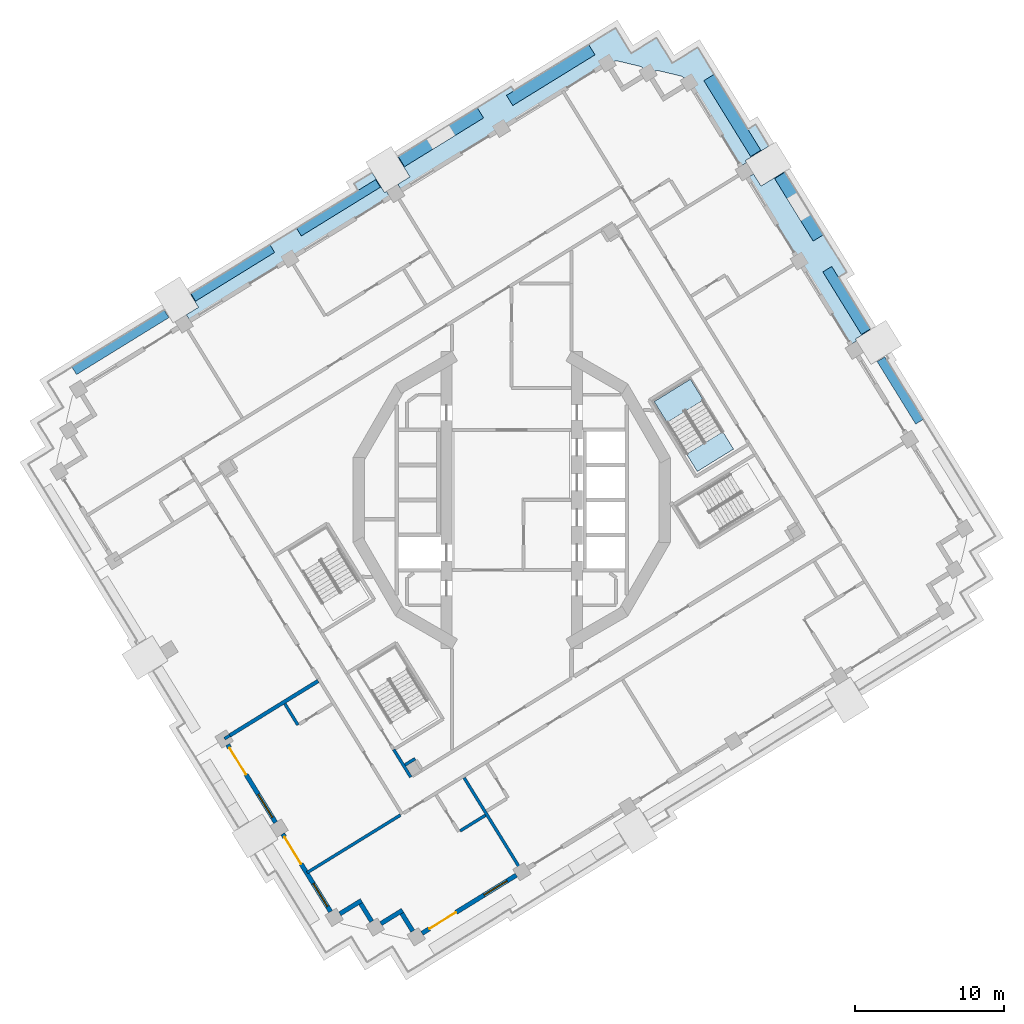
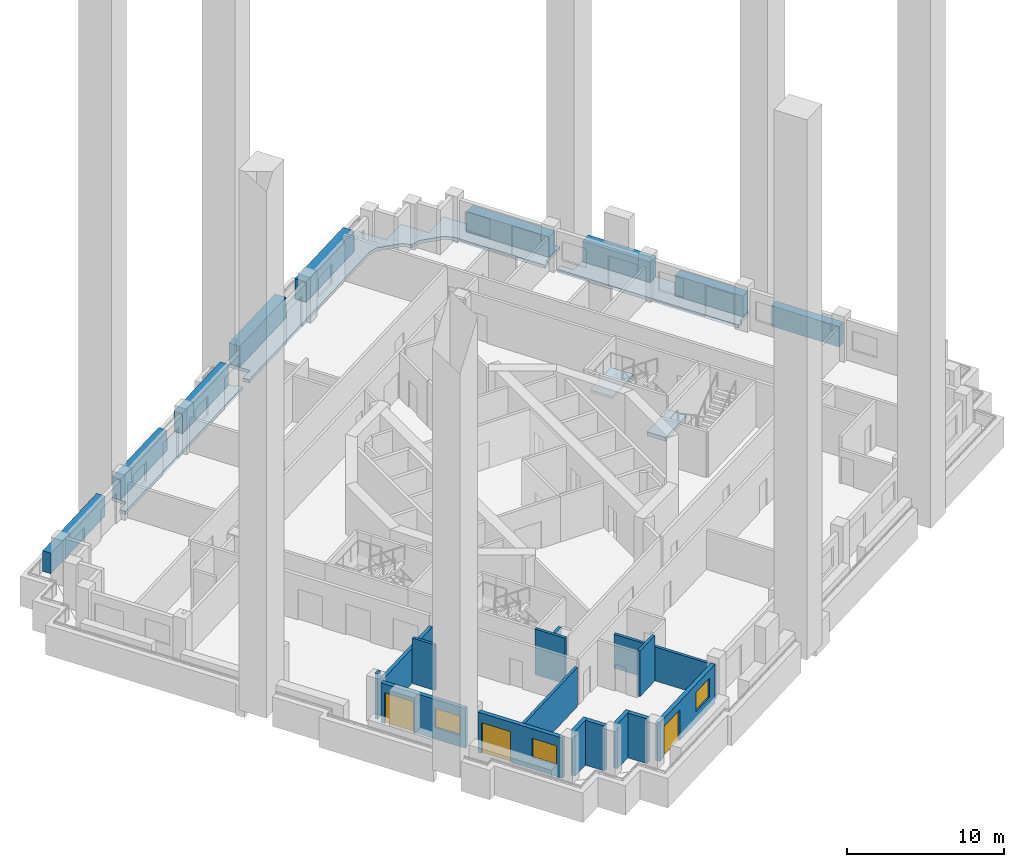
# One storey, part 2 of 19: 15 walls, 9 plates, 5 slabs, 3 doors, 3 windows, 6 openings, 1 element without a shape of its own.
"""IFC4 building model written with IfcOpenShell, lengths in metres."""

from ifc_helpers import new_model, si_unit, direction, frame, frame_2d, origin, origin_2d, place, context, subcontext, project, spatial, polyline, rectangle, outline, extrude, material, layer, layer_set, type_object, element, fill, aggregate, save


model = new_model("IFC4")

# Units and contexts
model_context = context("Model", 3, precision=1e-05, world=origin(), true_north=direction((0.0, 1.0)))
body_context = subcontext(model_context, "Body", "Model", "MODEL_VIEW")
ifc_project = project(units=[si_unit("LENGTHUNIT", "METRE"), si_unit("AREAUNIT", "SQUARE_METRE"), si_unit("VOLUMEUNIT", "CUBIC_METRE"), si_unit("PLANEANGLEUNIT", "RADIAN"), si_unit("MASSUNIT", "GRAM", prefix="KILO")], contexts=[model_context])

# Site, building, storey
site_placement = place(None, origin())
site = spatial("IfcSite", under=ifc_project, at=site_placement, CompositionType="ELEMENT")
building_placement = place(site_placement, origin())
building = spatial("IfcBuilding", under=site, at=building_placement, Name="Cantera Rosa Tower", CompositionType="ELEMENT")
storey_placement = place(building_placement, frame((0.0, 0.0, 147.60009765625)))
storey = spatial("IfcBuildingStorey", under=building, at=storey_placement, Name="L31", CompositionType="ELEMENT", Elevation=147.60009765625)

# Slabs
ifc_material_1 = material(Name="Concrete C35/45", Category="concrete")
ifc_layer_1 = layer(ifc_material_1, 0.25)
ifc_layer_set_1 = layer_set([ifc_layer_1], Name="LOGGIA SLAB 250 C35/45")
slab_type_1 = type_object("IfcSlabType", Name="LOGGIA SLAB 250 C35/45", PredefinedType="FLOOR", material=ifc_layer_set_1)
slab_1_placement = place(storey_placement, frame((0.0, 0.0, -0.25)))
element("IfcSlab", 1, at=slab_1_placement, inside=storey, type_object=slab_type_1, Name="LOGGIA SLAB L31 3", PredefinedType="FLOOR", context=body_context, shape_type="SweptSolid", body=[
    extrude(outline(polyline([(-9.343994140625, 21.929931640625), (-8.51953125, 20.593505859375), (-8.391845703125, 20.672119140625), (-8.155517578125, 20.289306640625), (-21.55224609375, 12.026123046875), (-21.788330078125, 12.4091796875), (-20.97998046875, 12.90771484375), (-21.531005859375, 13.801513671875), (-21.446044921875, 13.85400390625), (-16.91796875, 16.64697265625), (-14.36474609375, 18.2216796875), (-10.279541015625, 20.741455078125), (-10.552734375, 21.184326171875), (-9.343994140625, 21.929931640625)])), origin(), (0.0, 0.0, 1.0), 0.25),
])
slab_2_placement = place(storey_placement, frame((0.0, 0.0, -0.25)))
element("IfcSlab", 2, at=slab_2_placement, inside=storey, type_object=slab_type_1, Name="LOGGIA SLAB L31 5", PredefinedType="FLOOR", context=body_context, shape_type="SweptSolid", body=[
    extrude(outline(polyline([(7.994384765625, 29.898193359375), (8.249755859375, 30.0556640625), (9.696533203125, 30.9482421875), (10.589111328125, 29.501220703125), (10.74658203125, 29.245849609375), (11.001953125, 29.4033203125), (12.44873046875, 30.2958984375), (13.34130859375, 28.84912109375), (15.823486328125, 24.82470703125), (16.3271484375, 25.135498046875), (17.21533203125, 23.695556640625), (15.647705078125, 22.728515625), (15.7265625, 22.600830078125), (15.343505859375, 22.36474609375), (11.894287109375, 27.95654296875), (11.4736328125, 28.328125), (11.45068359375, 28.346435546875), (11.426025390625, 28.362548828125), (11.39990234375, 28.376220703125), (11.37255859375, 28.386962890625), (11.34423828125, 28.395263671875), (9.83056640625, 28.75390625), (9.801513671875, 28.75927734375), (9.772216796875, 28.76171875), (9.742919921875, 28.761474609375), (9.713623046875, 28.75830078125), (9.684814453125, 28.752197265625), (9.14208984375, 28.60888671875), (8.721435546875, 28.98046875), (8.698486328125, 28.998779296875), (8.673828125, 29.014892578125), (8.647705078125, 29.0283203125), (8.620361328125, 29.039306640625), (8.592041015625, 29.047607421875), (7.078369140625, 29.40625), (7.049560546875, 29.41162109375), (7.02001953125, 29.4140625), (6.99072265625, 29.413818359375), (6.96142578125, 29.410400390625), (6.9326171875, 29.404296875), (6.389892578125, 29.260986328125), (-7.3896484375, 20.76171875), (-7.625732421875, 21.144775390625), (-6.8173828125, 21.643310546875), (-7.6416015625, 22.97998046875), (-0.032470703125, 27.67333984375), (0.1357421875, 27.40087890625), (5.49755859375, 30.7080078125), (6.9443359375, 31.600341796875), (7.8369140625, 30.153564453125), (7.994384765625, 29.898193359375)])), origin(), (0.0, 0.0, 1.0), 0.25),
])
slab_3_placement = place(storey_placement, frame((0.0, 0.0, -0.25)))
element("IfcSlab", 3, at=slab_3_placement, inside=storey, type_object=slab_type_1, Name="LOGGIA SLAB L31 7", PredefinedType="FLOOR", context=body_context, shape_type="SweptSolid", body=[
    extrude(outline(polyline([(22.714111328125, 10.4150390625), (15.81591796875, 21.5986328125), (16.198974609375, 21.8349609375), (16.69775390625, 21.0263671875), (18.265380859375, 21.993408203125), (22.4189453125, 15.25927734375), (21.87841796875, 14.92578125), (24.04541015625, 11.41259765625), (23.018310546875, 10.77880859375), (23.09716796875, 10.651123046875), (22.714111328125, 10.4150390625)])), origin(), (0.0, 0.0, 1.0), 0.25),
])

# Plates
ifc_material_2 = material(Name="Cantera stone planter with soil", Category="masonry")
plate_type_1 = type_object("IfcPlateType", Name="PLANTER 600", PredefinedType="USERDEFINED", material=ifc_material_2)
plate_1_placement = place(storey_placement, frame((26.0244140625, 7.333984375, -0.000244140625), z_axis=(0.0, 0.0, 1.0), x_axis=(-0.52497658034, 0.851116672434, 0.0)))
element("IfcPlate", 4, at=plate_1_placement, inside=storey, type_object=plate_type_1, Name="PLANTER L31-02", ObjectType="PLANTER", PredefinedType="USERDEFINED", context=body_context, shape_type="SweptSolid", body=[
    extrude(rectangle(XDim=4.919921875, YDim=0.60009765625, at=origin_2d()), origin(), (0.0, 0.0, 1.0), 1.60009765625),
])
for number, where, z_axis, x_axis, name in (
    (5, (-11.602783203125, 19.572998046875, -0.000244140625), (0.0, 0.0, 1.0), (-0.851116672434, -0.52497658034, 0.0), "PLANTER L31-08"),
    (6, (-18.68408203125, 15.205078125, -0.000244140625), (0.0, 0.0, 1.0), (-0.851116672434, -0.52497658034, 0.0), "PLANTER L31-09"),
):
    element("IfcPlate", number, at=place(storey_placement, frame(where, z_axis=z_axis, x_axis=x_axis)), inside=storey, type_object=plate_type_1, Name=name, ObjectType="PLANTER", PredefinedType="USERDEFINED", context=body_context, shape_type="SweptSolid", body=[
        extrude(rectangle(XDim=6.219970703125, YDim=0.60009765625, at=origin_2d()), origin(), (0.0, 0.0, 1.0), 1.60009765625),
    ])
plate_2_placement = place(storey_placement, frame((-26.212158203125, 10.561767578125, -0.000244140625), z_axis=(0.0, 0.0, 1.0), x_axis=(-0.851116672434, -0.52497658034, 0.0)))
element("IfcPlate", 7, at=plate_2_placement, inside=storey, type_object=plate_type_1, Name="PLANTER L31-10", ObjectType="PLANTER", PredefinedType="USERDEFINED", context=body_context, shape_type="SweptSolid", body=[
    extrude(rectangle(XDim=7.27001953125, YDim=0.60009765625, at=origin_2d()), origin(), (0.0, 0.0, 1.0), 1.60009765625),
])
ifc_material_3 = material(Name="Cantera stone planter with soil", Category="masonry")
plate_type_2 = type_object("IfcPlateType", Name="PLANTER 700", PredefinedType="USERDEFINED", material=ifc_material_3)
plate_3_placement = place(storey_placement, frame((22.429931640625, 13.364990234375, -0.000244140625), z_axis=(0.0, 0.0, 1.0), x_axis=(-0.52497658034, 0.851116672434, 0.0)))
element("IfcPlate", 8, at=plate_3_placement, inside=storey, type_object=plate_type_2, Name="PLANTER L31-03", ObjectType="PLANTER", PredefinedType="USERDEFINED", context=body_context, shape_type="SweptSolid", body=[
    extrude(rectangle(XDim=4.919921875, YDim=0.699951171875, at=origin_2d()), origin(), (0.0, 0.0, 1.0), 1.60009765625),
])
ifc_material_4 = material(Name="Cantera stone planter with soil", Category="masonry")
plate_type_3 = type_object("IfcPlateType", Name="PLANTER 800", PredefinedType="USERDEFINED", material=ifc_material_4)
plate_4_placement = place(storey_placement, frame((19.24267578125, 19.64697265625, -0.000244140625), z_axis=(0.0, 0.0, 1.0), x_axis=(-0.52497658034, 0.851116672434, 0.0)))
element("IfcPlate", 9, at=plate_4_placement, inside=storey, type_object=plate_type_3, Name="PLANTER L31-04", ObjectType="PLANTER", PredefinedType="USERDEFINED", context=body_context, shape_type="SweptSolid", body=[
    extrude(rectangle(XDim=4.919921875, YDim=0.800048828125, at=origin_2d()), origin(), (0.0, 0.0, 1.0), 1.60009765625),
])
plate_5_placement = place(storey_placement, frame((14.77783203125, 25.758056640625, -0.000244140625), z_axis=(0.0, 0.0, 1.0), x_axis=(-0.52497658034, 0.851116672434, 0.0)))
element("IfcPlate", 10, at=plate_5_placement, inside=storey, type_object=plate_type_3, Name="PLANTER L31-05", ObjectType="PLANTER", PredefinedType="USERDEFINED", context=body_context, shape_type="SweptSolid", body=[
    extrude(rectangle(XDim=5.969970703125, YDim=0.800048828125, at=origin_2d()), origin(), (0.0, 0.0, 1.0), 1.60009765625),
])
plate_6_placement = place(storey_placement, frame((2.61376953125, 28.459228515625, -0.000244140625), z_axis=(0.0, 0.0, 1.0), x_axis=(-0.851116672434, -0.52497658034, 0.0)))
element("IfcPlate", 11, at=plate_6_placement, inside=storey, type_object=plate_type_3, Name="PLANTER L31-06", ObjectType="PLANTER", PredefinedType="USERDEFINED", context=body_context, shape_type="SweptSolid", body=[
    extrude(rectangle(XDim=6.469970703125, YDim=0.800048828125, at=origin_2d()), origin(), (0.0, 0.0, 1.0), 1.60009765625),
])
plate_7_placement = place(storey_placement, frame((-4.7421875, 24.29833984375, -0.000244140625), z_axis=(0.0, 0.0, 1.0), x_axis=(-0.851116672434, -0.52497658034, 0.0)))
element("IfcPlate", 12, at=plate_7_placement, inside=storey, type_object=plate_type_3, Name="PLANTER L31-07", ObjectType="PLANTER", PredefinedType="USERDEFINED", context=body_context, shape_type="SweptSolid", body=[
    extrude(rectangle(XDim=6.219970703125, YDim=0.800048828125, at=origin_2d()), origin(), (0.0, 0.0, 1.0), 1.60009765625),
])

# Slab
ifc_material_5 = material(Name="Concrete C50/60", Category="concrete")
ifc_layer_2 = layer(ifc_material_5, 0.300048828125)
ifc_layer_set_2 = layer_set([ifc_layer_2], Name="RC STAIR ARRIVAL LANDING 300 C50/60")
slab_type_2 = type_object("IfcSlabType", Name="RC STAIR ARRIVAL LANDING 300 C50/60", PredefinedType="FLOOR", material=ifc_layer_set_2)
slab_4_placement = place(storey_placement, frame((0.0, 0.0, -0.300048828125)))
element("IfcSlab", 13, at=slab_4_placement, inside=storey, type_object=slab_type_2, Name="SLAB L31 arrival 3", PredefinedType="FLOOR", context=body_context, shape_type="SweptSolid", body=[
    extrude(outline(polyline([(14.1416015625, 4.566650390625), (14.8564453125, 3.407470703125), (12.430908203125, 1.911376953125), (11.7158203125, 3.070556640625), (14.1416015625, 4.566650390625)])), origin(), (0.0, 0.0, 1.0), 0.300048828125),
])

# Stair, slab
ifc_material_6 = material(Name="Concrete C35/45", Category="concrete")
stair_type = type_object("IfcStairType", Name="EXIT STAIR 1350 DOGLEG", PredefinedType="HALF_TURN_STAIR", material=ifc_material_6)
stair_placement = place(storey_placement, origin())
stair = element("IfcStair", 14, at=stair_placement, inside=storey, type_object=stair_type, Name="L31 ST-31", PredefinedType="HALF_TURN_STAIR")
ifc_material_7 = material(Name="Concrete C35/45", Category="concrete")
ifc_layer_3 = layer(ifc_material_7, 0.199951171875)
ifc_layer_set_3 = layer_set([ifc_layer_3], Name="STAIR LANDING 200")
slab_type_3 = type_object("IfcSlabType", Name="STAIR LANDING 200", PredefinedType="LANDING", material=ifc_layer_set_3)
slab_5_placement = place(storey_placement, frame((0.0, 0.0, 1.699951171875)))
slab_5 = element("IfcSlab", 15, at=slab_5_placement, type_object=slab_type_3, Name="ST-31 landing 1", PredefinedType="LANDING", context=body_context, shape_type="SweptSolid", body=[
    extrude(outline(polyline([(12.8310546875, 6.691162109375), (11.96923828125, 8.088623046875), (9.54345703125, 6.592529296875), (10.405517578125, 5.19482421875), (12.8310546875, 6.691162109375)])), origin(), (0.0, 0.0, 1.0), 0.199951171875),
])
aggregate(stair, [slab_5])

# Walls
ifc_material_8 = material(Name="Gypsum board partition")
ifc_layer_4 = layer(ifc_material_8, 0.199951171875)
ifc_layer_set_4 = layer_set([ifc_layer_4], Name="CORRIDOR WALL 200 H3550")
wall_type_1 = type_object("IfcWallType", Name="CORRIDOR WALL 200 H3550", PredefinedType="PARTITIONING", material=ifc_layer_set_4)
wall_1_placement = place(storey_placement, frame((-7.9033203125, -16.7119140625, 0.0), z_axis=(0.0, 0.0, 1.0), x_axis=(0.525036414636, -0.851079763187, 0.0)))
element("IfcWall", 16, at=wall_1_placement, inside=storey, type_object=wall_type_1, Name="CORRIDOR WALL L31-025", PredefinedType="PARTITIONING", context=body_context, shape_type="SweptSolid", body=[
    extrude(rectangle(XDim=2.17529296875, YDim=0.199951171875, at=frame_2d((1.087646484375, 0.0))), origin(), (0.0, 0.0, 1.0), 3.5498046875),
])
ifc_material_9 = material(Name="Hollow clay masonry with cantera stone cladding", Category="masonry")
ifc_layer_5 = layer(ifc_material_9, 0.300048828125)
ifc_layer_set_5 = layer_set([ifc_layer_5], Name="EW-LOGGIA 300")
wall_type_2 = type_object("IfcWallType", Name="EW-LOGGIA 300", PredefinedType="SOLIDWALL", material=ifc_layer_set_5)
wall_2_placement = place(storey_placement, frame((-11.51123046875, -27.72021484375, 0.0), z_axis=(0.0, 0.0, 1.0), x_axis=(0.851130227454, 0.524954603669, 0.0)))
element("IfcWall", 17, at=wall_2_placement, inside=storey, type_object=wall_type_2, Name="EN-L31-W20a", PredefinedType="SOLIDWALL", context=body_context, shape_type="SweptSolid", body=[
    extrude(rectangle(XDim=1.699951171875, YDim=0.300048828125, at=frame_2d((0.85009765625, 0.0))), origin(), (0.0, 0.0, 1.0), 3.5),
])
wall_3_placement = place(storey_placement, frame((-10.11328125, -27.0341796875, 0.0), z_axis=(0.0, 0.0, 1.0), x_axis=(0.524895019961, -0.85116697423, 0.0)))
element("IfcWall", 18, at=wall_3_placement, inside=storey, type_object=wall_type_2, Name="EN-L31-W20b", PredefinedType="SOLIDWALL", context=body_context, shape_type="SweptSolid", body=[
    extrude(rectangle(XDim=1.39990234375, YDim=0.300048828125, at=frame_2d((0.699951171875, 0.0))), origin(), (0.0, 0.0, 1.0), 3.5),
])
wall_4_placement = place(storey_placement, frame((-8.75927734375, -28.37255859375, 0.0), z_axis=(0.0, 0.0, 1.0), x_axis=(0.851105638601, 0.524994468487, 0.0)))
element("IfcWall", 19, at=wall_4_placement, inside=storey, type_object=wall_type_2, Name="EN-L31-W21a", PredefinedType="SOLIDWALL", context=body_context, shape_type="SweptSolid", body=[
    extrude(rectangle(XDim=1.7001953125, YDim=0.300048828125, at=frame_2d((0.85009765625, 0.0))), origin(), (0.0, 0.0, 1.0), 3.5),
])
wall_5_placement = place(storey_placement, frame((-7.361083984375, -27.6865234375, 0.0), z_axis=(0.0, 0.0, 1.0), x_axis=(0.524895019961, -0.85116697423, 0.0)))
element("IfcWall", 20, at=wall_5_placement, inside=storey, type_object=wall_type_2, Name="EN-L31-W21b", PredefinedType="SOLIDWALL", context=body_context, shape_type="SweptSolid", body=[
    extrude(rectangle(XDim=1.39990234375, YDim=0.300048828125, at=frame_2d((0.699951171875, 0.0))), origin(), (0.0, 0.0, 1.0), 3.5),
])

# Wall, openings, window, door
ifc_material_10 = material(Name="Hollow clay masonry with cantera stone cladding", Category="masonry")
ifc_layer_6 = layer(ifc_material_10, 0.300048828125)
ifc_layer_set_6 = layer_set([ifc_layer_6], Name="EW-LOGGIA 300 H3020")
wall_type_3 = type_object("IfcWallType", Name="EW-LOGGIA 300 H3020", PredefinedType="SOLIDWALL", material=ifc_layer_set_6)
wall_6_placement = place(storey_placement, frame((-6.007080078125, -29.02490234375, 0.0), z_axis=(0.0, 0.0, 1.0), x_axis=(0.851111085575, 0.524985637909, 0.0)))
wall_6 = element("IfcWall", 21, at=wall_6_placement, inside=storey, type_object=wall_type_3, Name="EN-L31-W22", PredefinedType="SOLIDWALL", context=body_context, shape_type="SweptSolid", body=[
    extrude(rectangle(XDim=7.420166015625, YDim=0.300048828125, at=frame_2d((3.7099609375, 0.0))), origin(), (0.0, 0.0, 1.0), 3.02001953125),
])
opening_1_placement = place(wall_6_placement, frame((0.580078125, 0.0, 0.0)))
opening_1 = element("IfcOpeningElement", 22, at=opening_1_placement, cuts=wall_6, Name="Opening L31-TD27", PredefinedType="OPENING", context=body_context, shape_type="SweptSolid", body=[
    extrude(rectangle(XDim=2.10009765625, YDim=2.39990234375, at=frame_2d((1.050048828125, 1.199951171875))), frame((0.0, 0.159912109375, 0.0), z_axis=(0.0, -1.0, 0.0), x_axis=(1.0, 0.0, 0.0)), (0.0, 0.0, 1.0), 0.320068359375),
])
opening_2_placement = place(wall_6_placement, frame((4.889892578125, 0.0, 0.89990234375)))
opening_2 = element("IfcOpeningElement", 23, at=opening_2_placement, cuts=wall_6, Name="Opening L31-W28", PredefinedType="OPENING", context=body_context, shape_type="SweptSolid", body=[
    extrude(rectangle(XDim=1.800048828125, YDim=1.5, at=frame_2d((0.89990234375, 0.75))), frame((0.0, 0.159912109375, 0.0), z_axis=(0.0, -1.0, 0.0), x_axis=(1.0, 0.0, 0.0)), (0.0, 0.0, 1.0), 0.320068359375),
])
ifc_material_11 = material(Name="Aluminium frame with clear glass", Category="aluminium")
window_type = type_object("IfcWindowType", Name="Hotel room window 1800x1500", PartitioningType="DOUBLE_PANEL_VERTICAL", PredefinedType="WINDOW", material=ifc_material_11)
window_1_placement = place(opening_2_placement, origin())
window_1 = element("IfcWindow", 24, at=window_1_placement, inside=storey, type_object=window_type, Name="WINDOW L31-W28", OverallHeight=1.5, OverallWidth=1.800048828125, PartitioningType="SINGLE_PANEL", PredefinedType="WINDOW", context=body_context, shape_type="SweptSolid", body=[
    extrude(rectangle(XDim=1.800048828125, YDim=1.5, at=frame_2d((0.89990234375, 0.75))), frame((0.0, 0.030029296875, 0.0), z_axis=(0.0, -1.0, 0.0), x_axis=(1.0, 0.0, 0.0)), (0.0, 0.0, 1.0), 0.06005859375),
])
fill(opening_2, window_1)
ifc_material_12 = material(Name="Aluminium frame with clear glass", Category="aluminium")
door_type = type_object("IfcDoorType", Name="TD-H 2100x2400", OperationType="NOTDEFINED", PredefinedType="DOOR", material=ifc_material_12)
door_1_placement = place(opening_1_placement, origin())
door_1 = element("IfcDoor", 25, at=door_1_placement, inside=storey, type_object=door_type, Name="LOGGIA DOOR L31-TD27", OperationType="SLIDING_TO_LEFT", OverallHeight=2.39990234375, OverallWidth=2.10009765625, PredefinedType="DOOR", context=body_context, shape_type="SweptSolid", body=[
    extrude(rectangle(XDim=2.10009765625, YDim=2.39990234375, at=frame_2d((1.050048828125, 1.199951171875))), frame((0.0, 0.02490234375, 0.0), z_axis=(0.0, -1.0, 0.0), x_axis=(1.0, 0.0, 0.0)), (0.0, 0.0, 1.0), 0.050048828125),
])
fill(opening_1, door_1)

ifc_material_13 = material(Name="Hollow clay masonry with cantera stone cladding", Category="masonry")
ifc_layer_7 = layer(ifc_material_13, 0.300048828125)
ifc_layer_set_7 = layer_set([ifc_layer_7], Name="EW-LOGGIA 300 H3090")
wall_type_4 = type_object("IfcWallType", Name="EW-LOGGIA 300 H3090", PredefinedType="SOLIDWALL", material=ifc_layer_set_7)
wall_7_placement = place(storey_placement, frame((-19.02880859375, -16.389892578125, 0.0), z_axis=(0.0, 0.0, 1.0), x_axis=(0.524987447654, -0.851109969279, 0.0)))
wall_7 = element("IfcWall", 26, at=wall_7_placement, inside=storey, type_object=wall_type_4, Name="EN-L31-W18", PredefinedType="SOLIDWALL", context=body_context, shape_type="SweptSolid", body=[
    extrude(rectangle(XDim=6.119873046875, YDim=0.300048828125, at=frame_2d((3.06005859375, 0.0))), origin(), (0.0, 0.0, 1.0), 3.08984375),
])
opening_3_placement = place(wall_7_placement, frame((0.2548828125, 0.0, 0.0)))
opening_3 = element("IfcOpeningElement", 27, at=opening_3_placement, cuts=wall_7, Name="Opening L31-TD23", PredefinedType="OPENING", context=body_context, shape_type="SweptSolid", body=[
    extrude(rectangle(XDim=2.10009765625, YDim=2.39990234375, at=frame_2d((1.050048828125, 1.199951171875))), frame((0.0, 0.159912109375, 0.0), z_axis=(0.0, -1.0, 0.0), x_axis=(1.0, 0.0, 0.0)), (0.0, 0.0, 1.0), 0.320068359375),
])
opening_4_placement = place(wall_7_placement, frame((3.9150390625, 0.0, 0.89990234375)))
opening_4 = element("IfcOpeningElement", 28, at=opening_4_placement, cuts=wall_7, Name="Opening L31-W24", PredefinedType="OPENING", context=body_context, shape_type="SweptSolid", body=[
    extrude(rectangle(XDim=1.800048828125, YDim=1.5, at=frame_2d((0.89990234375, 0.75))), frame((0.0, 0.159912109375, 0.0), z_axis=(0.0, -1.0, 0.0), x_axis=(1.0, 0.0, 0.0)), (0.0, 0.0, 1.0), 0.320068359375),
])
window_2_placement = place(opening_4_placement, origin())
window_2 = element("IfcWindow", 29, at=window_2_placement, inside=storey, type_object=window_type, Name="WINDOW L31-W24", OverallHeight=1.5, OverallWidth=1.800048828125, PartitioningType="SINGLE_PANEL", PredefinedType="WINDOW", context=body_context, shape_type="SweptSolid", body=[
    extrude(rectangle(XDim=1.800048828125, YDim=1.5, at=frame_2d((0.89990234375, 0.75))), frame((0.0, 0.030029296875, 0.0), z_axis=(0.0, -1.0, 0.0), x_axis=(1.0, 0.0, 0.0)), (0.0, 0.0, 1.0), 0.06005859375),
])
fill(opening_4, window_2)
door_2_placement = place(opening_3_placement, origin())
door_2 = element("IfcDoor", 30, at=door_2_placement, inside=storey, type_object=door_type, Name="LOGGIA DOOR L31-TD23", OperationType="SLIDING_TO_LEFT", OverallHeight=2.39990234375, OverallWidth=2.10009765625, PredefinedType="DOOR", context=body_context, shape_type="SweptSolid", body=[
    extrude(rectangle(XDim=2.10009765625, YDim=2.39990234375, at=frame_2d((1.050048828125, 1.199951171875))), frame((0.0, 0.02490234375, 0.0), z_axis=(0.0, -1.0, 0.0), x_axis=(1.0, 0.0, 0.0)), (0.0, 0.0, 1.0), 0.050048828125),
])
fill(opening_3, door_2)

ifc_material_14 = material(Name="Hollow clay masonry with cantera stone cladding", Category="masonry")
ifc_layer_8 = layer(ifc_material_14, 0.300048828125)
ifc_layer_set_8 = layer_set([ifc_layer_8], Name="EW-LOGGIA 300 H3140")
wall_type_5 = type_object("IfcWallType", Name="EW-LOGGIA 300 H3140", PredefinedType="SOLIDWALL", material=ifc_layer_set_8)
wall_8_placement = place(storey_placement, frame((-15.343505859375, -22.36474609375, 0.0), z_axis=(0.0, 0.0, 1.0), x_axis=(0.524987447654, -0.851109969279, 0.0)))
wall_8 = element("IfcWall", 31, at=wall_8_placement, inside=storey, type_object=wall_type_5, Name="EN-L31-W19", PredefinedType="SOLIDWALL", context=body_context, shape_type="SweptSolid", body=[
    extrude(rectangle(XDim=6.119873046875, YDim=0.300048828125, at=frame_2d((3.06005859375, 0.0))), origin(), (0.0, 0.0, 1.0), 3.139892578125),
])
opening_5_placement = place(wall_8_placement, frame((0.2548828125, 0.0, 0.0)))
opening_5 = element("IfcOpeningElement", 32, at=opening_5_placement, cuts=wall_8, Name="Opening L31-TD25", PredefinedType="OPENING", context=body_context, shape_type="SweptSolid", body=[
    extrude(rectangle(XDim=2.10009765625, YDim=2.39990234375, at=frame_2d((1.050048828125, 1.199951171875))), frame((0.0, 0.159912109375, 0.0), z_axis=(0.0, -1.0, 0.0), x_axis=(1.0, 0.0, 0.0)), (0.0, 0.0, 1.0), 0.320068359375),
])
opening_6_placement = place(wall_8_placement, frame((3.9150390625, 0.0, 0.89990234375)))
opening_6 = element("IfcOpeningElement", 33, at=opening_6_placement, cuts=wall_8, Name="Opening L31-W26", PredefinedType="OPENING", context=body_context, shape_type="SweptSolid", body=[
    extrude(rectangle(XDim=1.800048828125, YDim=1.5, at=frame_2d((0.89990234375, 0.75))), frame((0.0, 0.159912109375, 0.0), z_axis=(0.0, -1.0, 0.0), x_axis=(1.0, 0.0, 0.0)), (0.0, 0.0, 1.0), 0.320068359375),
])
window_3_placement = place(opening_6_placement, origin())
window_3 = element("IfcWindow", 34, at=window_3_placement, inside=storey, type_object=window_type, Name="WINDOW L31-W26", OverallHeight=1.5, OverallWidth=1.800048828125, PartitioningType="SINGLE_PANEL", PredefinedType="WINDOW", context=body_context, shape_type="SweptSolid", body=[
    extrude(rectangle(XDim=1.800048828125, YDim=1.5, at=frame_2d((0.89990234375, 0.75))), frame((0.0, 0.030029296875, 0.0), z_axis=(0.0, -1.0, 0.0), x_axis=(1.0, 0.0, 0.0)), (0.0, 0.0, 1.0), 0.06005859375),
])
fill(opening_6, window_3)
door_3_placement = place(opening_5_placement, origin())
door_3 = element("IfcDoor", 35, at=door_3_placement, inside=storey, type_object=door_type, Name="LOGGIA DOOR L31-TD25", OperationType="SLIDING_TO_LEFT", OverallHeight=2.39990234375, OverallWidth=2.10009765625, PredefinedType="DOOR", context=body_context, shape_type="SweptSolid", body=[
    extrude(rectangle(XDim=2.10009765625, YDim=2.39990234375, at=frame_2d((1.050048828125, 1.199951171875))), frame((0.0, 0.02490234375, 0.0), z_axis=(0.0, -1.0, 0.0), x_axis=(1.0, 0.0, 0.0)), (0.0, 0.0, 1.0), 0.050048828125),
])
fill(opening_5, door_3)

# Walls
ifc_material_15 = material(Name="Concrete C40/50", Category="concrete")
ifc_layer_9 = layer(ifc_material_15, 0.25)
ifc_layer_set_9 = layer_set([ifc_layer_9], Name="EW-POCKET CHEEK 250 H2710")
wall_type_6 = type_object("IfcWallType", Name="EW-POCKET CHEEK 250 H2710", PredefinedType="SOLIDWALL", material=ifc_layer_set_9)
wall_9_placement = place(storey_placement, frame((-18.882080078125, -15.7705078125, 0.0), z_axis=(0.0, 0.0, 1.0), x_axis=(0.851127184208, 0.524959537777, 0.0)))
element("IfcWall", 36, at=wall_9_placement, inside=storey, type_object=wall_type_6, Name="POCKET CHEEK B L31", PredefinedType="SOLIDWALL", context=body_context, shape_type="SweptSolid", body=[
    extrude(rectangle(XDim=6.949951171875, YDim=0.25, at=frame_2d((3.47509765625, 0.0))), origin(), (0.0, 0.0, 1.0), 2.7099609375),
])
ifc_material_16 = material(Name="Gypsum board partition")
ifc_layer_10 = layer(ifc_material_16, 0.199951171875)
ifc_layer_set_10 = layer_set([ifc_layer_10], Name="PARTITION 200 H3550")
wall_type_7 = type_object("IfcWallType", Name="PARTITION 200 H3550", PredefinedType="PARTITIONING", material=ifc_layer_set_10)
wall_10_placement = place(storey_placement, frame((-14.31982421875, -15.071533203125, 0.0), z_axis=(0.0, 0.0, 1.0), x_axis=(-0.524915259782, 0.851154492468, 0.0)))
element("IfcWall", 37, at=wall_10_placement, inside=storey, type_object=wall_type_7, Name="PARTITION L31-014", PredefinedType="PARTITIONING", context=body_context, shape_type="SweptSolid", body=[
    extrude(rectangle(XDim=1.6650390625, YDim=0.199951171875, at=frame_2d((0.83251953125, 0.0))), origin(), (0.0, 0.0, 1.0), 3.5498046875),
])
wall_11_placement = place(storey_placement, frame((-6.4677734375, -17.32470703125, 0.0), z_axis=(0.0, 0.0, 1.0), x_axis=(-0.85101860469, -0.525135539144, 0.0)))
element("IfcWall", 38, at=wall_11_placement, inside=storey, type_object=wall_type_7, Name="PARTITION L31-039", PredefinedType="PARTITIONING", context=body_context, shape_type="SweptSolid", body=[
    extrude(rectangle(XDim=0.800048828125, YDim=0.199951171875, at=frame_2d((0.39990234375, 0.0))), origin(), (0.0, 0.0, 1.0), 3.5498046875),
])
wall_12_placement = place(storey_placement, frame((-1.756103515625, -21.11572265625, 0.0), z_axis=(0.0, 0.0, 1.0), x_axis=(-0.851117241868, -0.524975657145, 0.0)))
element("IfcWall", 39, at=wall_12_placement, inside=storey, type_object=wall_type_7, Name="PARTITION L31-055", PredefinedType="PARTITIONING", context=body_context, shape_type="SweptSolid", body=[
    extrude(rectangle(XDim=2.000244140625, YDim=0.199951171875, at=frame_2d((1.0, 0.0))), origin(), (0.0, 0.0, 1.0), 3.5498046875),
])
ifc_material_17 = material(Name="Gypsum board partition")
ifc_layer_11 = layer(ifc_material_17, 0.199951171875)
ifc_layer_set_11 = layer_set([ifc_layer_11], Name="PARTY WALL 200 H2650")
wall_type_8 = type_object("IfcWallType", Name="PARTY WALL 200 H2650", PredefinedType="PARTITIONING", material=ifc_layer_set_11)
wall_13_placement = place(storey_placement, frame((0.675537109375, -24.86767578125, 0.0), z_axis=(0.0, 0.0, 1.0), x_axis=(-0.52498856982, 0.851109277096, 0.0)))
element("IfcWall", 40, at=wall_13_placement, inside=storey, type_object=wall_type_8, Name="PARTY WALL L31-060", PredefinedType="PARTITIONING", context=body_context, shape_type="SweptSolid", body=[
    extrude(rectangle(XDim=7.349853515625, YDim=0.199951171875, at=frame_2d((3.6748046875, 0.0))), origin(), (0.0, 0.0, 1.0), 2.64990234375),
])
ifc_material_18 = material(Name="Gypsum board partition")
ifc_layer_12 = layer(ifc_material_18, 0.199951171875)
ifc_layer_set_12 = layer_set([ifc_layer_12], Name="PARTY WALL 200 H3050")
wall_type_9 = type_object("IfcWallType", Name="PARTY WALL 200 H3050", PredefinedType="PARTITIONING", material=ifc_layer_set_12)
wall_14_placement = place(storey_placement, frame((-13.706298828125, -24.9619140625, 0.0), z_axis=(0.0, 0.0, 1.0), x_axis=(0.851118431638, 0.524973728225, 0.0)))
element("IfcWall", 41, at=wall_14_placement, inside=storey, type_object=wall_type_9, Name="PARTY WALL L31-015", PredefinedType="PARTITIONING", context=body_context, shape_type="SweptSolid", body=[
    extrude(rectangle(XDim=7.35009765625, YDim=0.199951171875, at=frame_2d((3.675048828125, 0.0))), origin(), (0.0, 0.0, 1.0), 3.0498046875),
])
ifc_material_19 = material(Name="Gypsum board partition")
ifc_layer_13 = layer(ifc_material_19, 0.199951171875)
ifc_layer_set_13 = layer_set([ifc_layer_13], Name="PARTY WALL 200 H3550")
wall_type_10 = type_object("IfcWallType", Name="PARTY WALL 200 H3550", PredefinedType="PARTITIONING", material=ifc_layer_set_13)
wall_15_placement = place(storey_placement, frame((-19.239501953125, -15.9912109375, 0.0), z_axis=(0.0, 0.0, 1.0), x_axis=(0.85085913097, 0.525393889615, 0.0)))
element("IfcWall", 42, at=wall_15_placement, inside=storey, type_object=wall_type_10, Name="PARTY WALL L31-009", PredefinedType="PARTITIONING", context=body_context, shape_type="SweptSolid", body=[
    extrude(rectangle(XDim=0.420166015625, YDim=0.199951171875, at=frame_2d((0.2099609375, 0.0))), origin(), (0.0, 0.0, 1.0), 3.5498046875),
])

save(model, "model.ifc")
